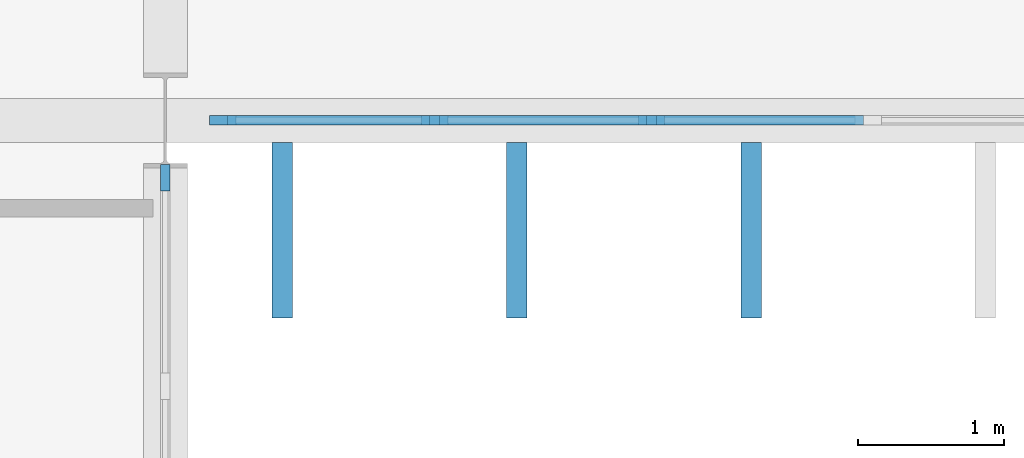
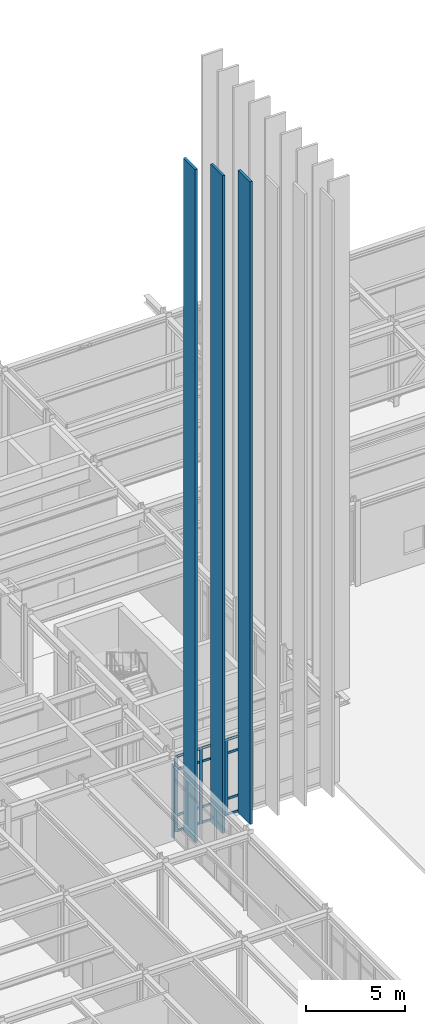
# One storey, part 39 of 109: 19 members, 2 elements without a shape of their own.
"""IFC4 building model written with IfcOpenShell, lengths in metres."""

from ifc_helpers import new_model, si_unit, direction, frame, origin, origin_2d, place, context, subcontext, project, spatial, rectangle, extrude, material, layer, layer_set, material_profile, profile_set, type_object, element, aggregate, save


model = new_model("IFC4")

# Units and contexts
model_context = context("Model", 3, precision=1e-05, world=origin(), true_north=direction((0.0, 1.0)))
body_context = subcontext(model_context, "Body", "Model", "MODEL_VIEW")
ifc_project = project(units=[si_unit("LENGTHUNIT", "METRE"), si_unit("AREAUNIT", "SQUARE_METRE"), si_unit("VOLUMEUNIT", "CUBIC_METRE"), si_unit("PLANEANGLEUNIT", "RADIAN"), si_unit("MASSUNIT", "GRAM", prefix="KILO")], contexts=[model_context])

# Site, building, storey
site_placement = place(None, origin())
site = spatial("IfcSite", under=ifc_project, at=site_placement, CompositionType="ELEMENT")
building_placement = place(site_placement, origin())
building = spatial("IfcBuilding", under=site, at=building_placement, Name="Nordkorset Police Headquarters", CompositionType="ELEMENT")
storey_placement = place(building_placement, origin())
storey = spatial("IfcBuildingStorey", under=building, at=storey_placement, Name="L00", CompositionType="ELEMENT", Elevation=0.0)

# Curtain wall, members
ifc_material_1 = material(Name="Aluminium alloy AW-6060", Category="aluminium")
ifc_layer_1 = layer(ifc_material_1, 0.179931640625, Name="Aluminium alloy AW-6060")
ifc_layer_set_1 = layer_set([ifc_layer_1], Name="Aluminium alloy AW-6060")
curtain_wall_type_1 = type_object("IfcCurtainWallType", Name="CW_Unit_888x467", PredefinedType="USERDEFINED", material=ifc_layer_set_1)
curtain_wall_1_placement = place(storey_placement, origin())
curtain_wall_1 = element("IfcCurtainWall", 1, at=curtain_wall_1_placement, inside=storey, type_object=curtain_wall_type_1, Name="Unitised Curtain Wall L00 V1S-2", ObjectType="UNITISED CURTAIN WALL", PredefinedType="USERDEFINED")
ifc_material_2 = material(Name="Aluminium alloy AW-6060", Category="aluminium")
ifc_material_profile_1 = material_profile(ifc_material_2, rectangle(XDim=0.06494140625, YDim=0.179931640625, at=origin_2d()), Name="ALU MULL 65x180")
ifc_profile_set_1 = profile_set([ifc_material_profile_1], Name="Aluminium alloy AW-6060")
member_type_1 = type_object("IfcMemberType", Name="CW_Mullion_65x180", PredefinedType="MULLION", material=ifc_profile_set_1)
member_1_placement = place(storey_placement, frame((19.592529296875, 83.199951171875, 0.0), z_axis=(0.0, 0.0, 1.0), x_axis=(0.0, 1.0, 0.0)))
member_1 = element("IfcMember", 2, at=member_1_placement, type_object=member_type_1, Name="CW-51 mullion 1", PredefinedType="MULLION", context=body_context, shape_type="SweptSolid", body=[
    extrude(rectangle(XDim=0.06494140625, YDim=0.179931640625, at=origin_2d()), origin(), (0.0, 0.0, 1.0), 4.669921875),
])
member_2_placement = place(storey_placement, frame((21.0400390625, 83.199951171875, 0.0), z_axis=(0.0, 0.0, 1.0), x_axis=(0.0, 1.0, 0.0)))
member_2 = element("IfcMember", 3, at=member_2_placement, type_object=member_type_1, Name="CW-51 mullion 2", PredefinedType="MULLION", context=body_context, shape_type="SweptSolid", body=[
    extrude(rectangle(XDim=0.06494140625, YDim=0.179931640625, at=origin_2d()), origin(), (0.0, 0.0, 1.0), 4.669921875),
])
member_3_placement = place(storey_placement, frame((22.52001953125, 83.199951171875, 0.0), z_axis=(0.0, 0.0, 1.0), x_axis=(0.0, 1.0, 0.0)))
member_3 = element("IfcMember", 4, at=member_3_placement, type_object=member_type_1, Name="CW-51 mullion 3", PredefinedType="MULLION", context=body_context, shape_type="SweptSolid", body=[
    extrude(rectangle(XDim=0.06494140625, YDim=0.179931640625, at=origin_2d()), origin(), (0.0, 0.0, 1.0), 4.669921875),
])

# Curtain wall, member
ifc_material_3 = material(Name="Aluminium alloy AW-6060", Category="aluminium")
ifc_layer_2 = layer(ifc_material_3, 0.179931640625, Name="Aluminium alloy AW-6060")
ifc_layer_set_2 = layer_set([ifc_layer_2], Name="Aluminium alloy AW-6060")
curtain_wall_type_2 = type_object("IfcCurtainWallType", Name="CW_Unit_728x454", PredefinedType="USERDEFINED", material=ifc_layer_set_2)
curtain_wall_2_placement = place(storey_placement, origin())
curtain_wall_2 = element("IfcCurtainWall", 5, at=curtain_wall_2_placement, inside=storey, type_object=curtain_wall_type_2, Name="Unitised Curtain Wall L00 V3E-5", ObjectType="UNITISED CURTAIN WALL", PredefinedType="USERDEFINED")
member_4_placement = place(storey_placement, frame((19.199951171875, 82.8076171875, 0.0), z_axis=(0.0, 0.0, 1.0), x_axis=(-1.0, 0.0, 0.0)))
member_4 = element("IfcMember", 6, at=member_4_placement, type_object=member_type_1, Name="CW-50 mullion 6", PredefinedType="MULLION", context=body_context, shape_type="SweptSolid", body=[
    extrude(rectangle(XDim=0.06494140625, YDim=0.179931640625, at=origin_2d()), origin(), (0.0, 0.0, 1.0), 4.5400390625),
])
aggregate(curtain_wall_2, [member_4])

# Member
ifc_material_4 = material(Name="Aluminium alloy AW-6060", Category="aluminium")
ifc_material_profile_2 = material_profile(ifc_material_4, rectangle(XDim=0.06494140625, YDim=0.139892578125, at=origin_2d()), Name="ALU TRAN 65x140")
ifc_profile_set_2 = profile_set([ifc_material_profile_2], Name="Aluminium alloy AW-6060")
member_type_2 = type_object("IfcMemberType", Name="CW_Transom_65x140", PredefinedType="USERDEFINED", material=ifc_profile_set_2)
member_5_placement = place(storey_placement, frame((19.625, 83.199951171875, 0.032470703125), z_axis=(1.0, 0.0, 0.0), x_axis=(0.0, 1.0, 0.0)))
member_5 = element("IfcMember", 7, at=member_5_placement, type_object=member_type_2, Name="CW-51 transom 1.1", ObjectType="TRANSOM", PredefinedType="USERDEFINED", context=body_context, shape_type="SweptSolid", body=[
    extrude(rectangle(XDim=0.06494140625, YDim=0.139892578125, at=origin_2d()), origin(), (0.0, 0.0, 1.0), 1.382568359375),
])

member_6_placement = place(storey_placement, frame((19.625, 83.199951171875, 1.0), z_axis=(1.0, 0.0, 0.0), x_axis=(0.0, 1.0, 0.0)))
member_6 = element("IfcMember", 8, at=member_6_placement, type_object=member_type_2, Name="CW-51 transom 1.2", ObjectType="TRANSOM", PredefinedType="USERDEFINED", context=body_context, shape_type="SweptSolid", body=[
    extrude(rectangle(XDim=0.06494140625, YDim=0.139892578125, at=origin_2d()), origin(), (0.0, 0.0, 1.0), 1.382568359375),
])

member_7_placement = place(storey_placement, frame((19.625, 83.199951171875, 3.820068359375), z_axis=(1.0, 0.0, 0.0), x_axis=(0.0, 1.0, 0.0)))
member_7 = element("IfcMember", 9, at=member_7_placement, type_object=member_type_2, Name="CW-51 transom 1.3", ObjectType="TRANSOM", PredefinedType="USERDEFINED", context=body_context, shape_type="SweptSolid", body=[
    extrude(rectangle(XDim=0.06494140625, YDim=0.139892578125, at=origin_2d()), origin(), (0.0, 0.0, 1.0), 1.382568359375),
])

member_8_placement = place(storey_placement, frame((19.625, 83.199951171875, 4.637451171875), z_axis=(1.0, 0.0, 0.0), x_axis=(0.0, 1.0, 0.0)))
member_8 = element("IfcMember", 10, at=member_8_placement, type_object=member_type_2, Name="CW-51 transom 1.4", ObjectType="TRANSOM", PredefinedType="USERDEFINED", context=body_context, shape_type="SweptSolid", body=[
    extrude(rectangle(XDim=0.06494140625, YDim=0.139892578125, at=origin_2d()), origin(), (0.0, 0.0, 1.0), 1.382568359375),
])

member_9_placement = place(storey_placement, frame((21.072509765625, 83.199951171875, 0.032470703125), z_axis=(1.0, 0.0, 0.0), x_axis=(0.0, 1.0, 0.0)))
member_9 = element("IfcMember", 11, at=member_9_placement, type_object=member_type_2, Name="CW-51 transom 2.1", ObjectType="TRANSOM", PredefinedType="USERDEFINED", context=body_context, shape_type="SweptSolid", body=[
    extrude(rectangle(XDim=0.06494140625, YDim=0.139892578125, at=origin_2d()), origin(), (0.0, 0.0, 1.0), 1.4150390625),
])

member_10_placement = place(storey_placement, frame((21.072509765625, 83.199951171875, 1.0), z_axis=(1.0, 0.0, 0.0), x_axis=(0.0, 1.0, 0.0)))
member_10 = element("IfcMember", 12, at=member_10_placement, type_object=member_type_2, Name="CW-51 transom 2.2", ObjectType="TRANSOM", PredefinedType="USERDEFINED", context=body_context, shape_type="SweptSolid", body=[
    extrude(rectangle(XDim=0.06494140625, YDim=0.139892578125, at=origin_2d()), origin(), (0.0, 0.0, 1.0), 1.4150390625),
])

member_11_placement = place(storey_placement, frame((21.072509765625, 83.199951171875, 3.820068359375), z_axis=(1.0, 0.0, 0.0), x_axis=(0.0, 1.0, 0.0)))
member_11 = element("IfcMember", 13, at=member_11_placement, type_object=member_type_2, Name="CW-51 transom 2.3", ObjectType="TRANSOM", PredefinedType="USERDEFINED", context=body_context, shape_type="SweptSolid", body=[
    extrude(rectangle(XDim=0.06494140625, YDim=0.139892578125, at=origin_2d()), origin(), (0.0, 0.0, 1.0), 1.4150390625),
])

member_12_placement = place(storey_placement, frame((21.072509765625, 83.199951171875, 4.637451171875), z_axis=(1.0, 0.0, 0.0), x_axis=(0.0, 1.0, 0.0)))
member_12 = element("IfcMember", 14, at=member_12_placement, type_object=member_type_2, Name="CW-51 transom 2.4", ObjectType="TRANSOM", PredefinedType="USERDEFINED", context=body_context, shape_type="SweptSolid", body=[
    extrude(rectangle(XDim=0.06494140625, YDim=0.139892578125, at=origin_2d()), origin(), (0.0, 0.0, 1.0), 1.4150390625),
])

member_13_placement = place(storey_placement, frame((22.552490234375, 83.199951171875, 0.032470703125), z_axis=(1.0, 0.0, 0.0), x_axis=(0.0, 1.0, 0.0)))
member_13 = element("IfcMember", 15, at=member_13_placement, type_object=member_type_2, Name="CW-51 transom 3.1", ObjectType="TRANSOM", PredefinedType="USERDEFINED", context=body_context, shape_type="SweptSolid", body=[
    extrude(rectangle(XDim=0.06494140625, YDim=0.139892578125, at=origin_2d()), origin(), (0.0, 0.0, 1.0), 1.4150390625),
])

member_14_placement = place(storey_placement, frame((22.552490234375, 83.199951171875, 1.0), z_axis=(1.0, 0.0, 0.0), x_axis=(0.0, 1.0, 0.0)))
member_14 = element("IfcMember", 16, at=member_14_placement, type_object=member_type_2, Name="CW-51 transom 3.2", ObjectType="TRANSOM", PredefinedType="USERDEFINED", context=body_context, shape_type="SweptSolid", body=[
    extrude(rectangle(XDim=0.06494140625, YDim=0.139892578125, at=origin_2d()), origin(), (0.0, 0.0, 1.0), 1.4150390625),
])

member_15_placement = place(storey_placement, frame((22.552490234375, 83.199951171875, 3.820068359375), z_axis=(1.0, 0.0, 0.0), x_axis=(0.0, 1.0, 0.0)))
member_15 = element("IfcMember", 17, at=member_15_placement, type_object=member_type_2, Name="CW-51 transom 3.3", ObjectType="TRANSOM", PredefinedType="USERDEFINED", context=body_context, shape_type="SweptSolid", body=[
    extrude(rectangle(XDim=0.06494140625, YDim=0.139892578125, at=origin_2d()), origin(), (0.0, 0.0, 1.0), 1.4150390625),
])

member_16_placement = place(storey_placement, frame((22.552490234375, 83.199951171875, 4.637451171875), z_axis=(1.0, 0.0, 0.0), x_axis=(0.0, 1.0, 0.0)))
member_16 = element("IfcMember", 18, at=member_16_placement, type_object=member_type_2, Name="CW-51 transom 3.4", ObjectType="TRANSOM", PredefinedType="USERDEFINED", context=body_context, shape_type="SweptSolid", body=[
    extrude(rectangle(XDim=0.06494140625, YDim=0.139892578125, at=origin_2d()), origin(), (0.0, 0.0, 1.0), 1.4150390625),
])

aggregate(curtain_wall_1, [member_1, member_2, member_3, member_5, member_6, member_7, member_8, member_9, member_10, member_11, member_12, member_13, member_14, member_15, member_16])

# Members
ifc_material_5 = material(Name="Glulam GL30c", Category="wood")
ifc_material_profile_3 = material_profile(ifc_material_5, rectangle(XDim=0.139892578125, YDim=1.199951171875, at=origin_2d()), Name="GL30C FIN 140x1200")
ifc_profile_set_3 = profile_set([ifc_material_profile_3], Name="Glulam GL30c")
member_type_3 = type_object("IfcMemberType", Name="Member_GlulamFin_140x1200", PredefinedType="USERDEFINED", material=ifc_profile_set_3)
member_17_placement = place(storey_placement, frame((20.0, 82.449951171875, 0.0), z_axis=(0.0, 0.0, 1.0), x_axis=(1.0, 0.0, 0.0)))
element("IfcMember", 19, at=member_17_placement, inside=storey, type_object=member_type_3, Name="Vertical Glulam Gable Fin South 068", ObjectType="VERTICAL TIMBER FIN", PredefinedType="USERDEFINED", context=body_context, shape_type="SweptSolid", body=[
    extrude(rectangle(XDim=0.139892578125, YDim=1.199951171875, at=origin_2d()), origin(), (0.0, 0.0, 1.0), 41.578857421875),
])
member_18_placement = place(storey_placement, frame((21.60009765625, 82.449951171875, 0.0), z_axis=(0.0, 0.0, 1.0), x_axis=(1.0, 0.0, 0.0)))
element("IfcMember", 20, at=member_18_placement, inside=storey, type_object=member_type_3, Name="Vertical Glulam Gable Fin South 070", ObjectType="VERTICAL TIMBER FIN", PredefinedType="USERDEFINED", context=body_context, shape_type="SweptSolid", body=[
    extrude(rectangle(XDim=0.139892578125, YDim=1.199951171875, at=origin_2d()), origin(), (0.0, 0.0, 1.0), 40.639892578125),
])
member_19_placement = place(storey_placement, frame((23.199951171875, 82.449951171875, 0.0), z_axis=(0.0, 0.0, 1.0), x_axis=(1.0, 0.0, 0.0)))
element("IfcMember", 21, at=member_19_placement, inside=storey, type_object=member_type_3, Name="Vertical Glulam Gable Fin South 072", ObjectType="VERTICAL TIMBER FIN", PredefinedType="USERDEFINED", context=body_context, shape_type="SweptSolid", body=[
    extrude(rectangle(XDim=0.139892578125, YDim=1.199951171875, at=origin_2d()), origin(), (0.0, 0.0, 1.0), 39.701171875),
])

save(model, "model.ifc")
